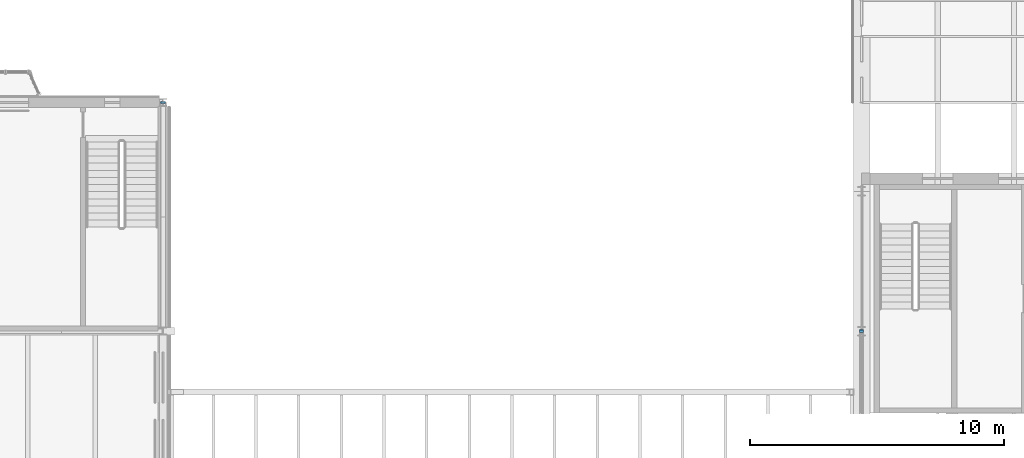
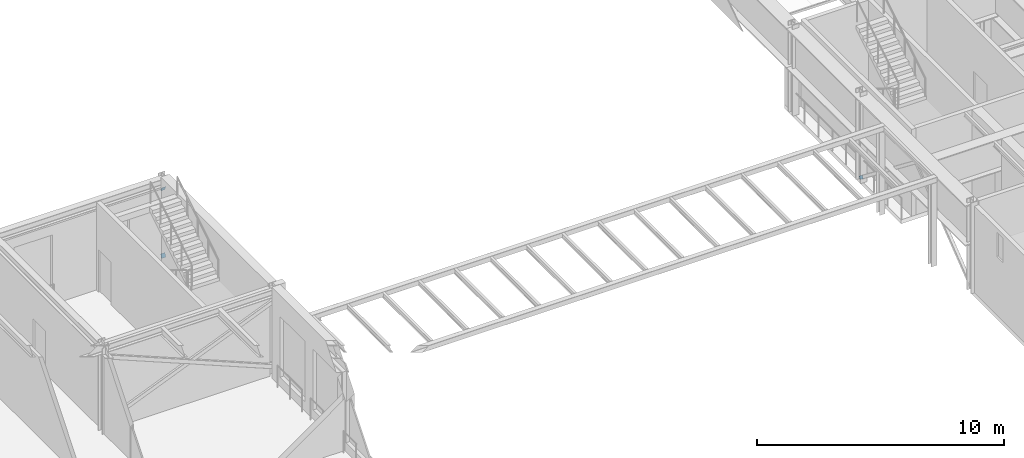
# One storey, part 119 of 153: 3 discrete accessories.
"""IFC4 building model written with IfcOpenShell, lengths in metres."""

from ifc_helpers import new_model, si_unit, direction, frame, origin, origin_2d, place, context, subcontext, project, spatial, rectangle, extrude, material, material_profile, profile_set, type_object, element, save


model = new_model("IFC4")

# Units and contexts
model_context = context("Model", 3, precision=1e-05, world=origin(), true_north=direction((0.0, 1.0)))
body_context = subcontext(model_context, "Body", "Model", "MODEL_VIEW")
ifc_project = project(units=[si_unit("LENGTHUNIT", "METRE"), si_unit("AREAUNIT", "SQUARE_METRE"), si_unit("VOLUMEUNIT", "CUBIC_METRE"), si_unit("PLANEANGLEUNIT", "RADIAN"), si_unit("MASSUNIT", "GRAM", prefix="KILO")], contexts=[model_context])

# Site, building, storey
site_placement = place(None, origin())
site = spatial("IfcSite", under=ifc_project, at=site_placement, CompositionType="ELEMENT")
building_placement = place(site_placement, origin())
building = spatial("IfcBuilding", under=site, at=building_placement, Name="Kallimachos Central Library", CompositionType="ELEMENT")
storey_placement = place(building_placement, frame((0.0, 0.0, 5.39990234375)))
storey = spatial("IfcBuildingStorey", under=building, at=storey_placement, Name="L01", CompositionType="ELEMENT", Elevation=5.39990234375)

# Discrete accessories
ifc_material_1 = material(Name="Steel S355J2", Category="steel")
ifc_material_profile_1 = material_profile(ifc_material_1, rectangle(XDim=0.14990234375, YDim=0.14990234375, at=origin_2d()), Name="End cap plate 10, 150x150")
ifc_profile_set_1 = profile_set([ifc_material_profile_1], Name="Steel S355J2")
discrete_accessory_type_1 = type_object("IfcDiscreteAccessoryType", Name="End cap plate 10, 150x150", PredefinedType="BRACKET", material=ifc_profile_set_1)
discrete_accessory_placement = place(storey_placement, frame((65.5, 105.0078125, 0.14404296875), z_axis=(0.0, -0.788024373725, 0.615644041972), x_axis=(1.0, 0.0, 0.0)))
element("IfcDiscreteAccessory", 1, at=discrete_accessory_placement, inside=storey, type_object=discrete_accessory_type_1, Name="End cap plate", PredefinedType="BRACKET", context=body_context, shape_type="SweptSolid", body=[
    extrude(rectangle(XDim=0.14990234375, YDim=0.14990234375, at=origin_2d()), origin(), (0.0, 0.0, 1.0), 0.010009765625),
])
ifc_material_2 = material(Name="Steel S355J2", Category="steel")
ifc_material_profile_2 = material_profile(ifc_material_2, rectangle(XDim=0.199951171875, YDim=0.199951171875, at=origin_2d()), Name="End cap plate 10, 200x200")
ifc_profile_set_2 = profile_set([ifc_material_profile_2], Name="Steel S355J2")
discrete_accessory_type_2 = type_object("IfcDiscreteAccessoryType", Name="End cap plate 10, 200x200", PredefinedType="BRACKET", material=ifc_profile_set_2)
for number, where, z_axis, x_axis, name in (
    (2, (38.0, 114.0, 3.75), (0.0, 0.930155221331, 0.367166534736), (-1.0, 0.0, 0.0), "End cap plate"),
    (3, (38.0, 114.0, 0.4501953125), (0.0, 0.930155221331, -0.367166534736), (-1.0, 0.0, 0.0), "End cap plate"),
):
    element("IfcDiscreteAccessory", number, at=place(storey_placement, frame(where, z_axis=z_axis, x_axis=x_axis)), inside=storey, type_object=discrete_accessory_type_2, Name=name, PredefinedType="BRACKET", context=body_context, shape_type="SweptSolid", body=[
        extrude(rectangle(XDim=0.199951171875, YDim=0.199951171875, at=origin_2d()), origin(), (0.0, 0.0, 1.0), 0.010009765625),
    ])

save(model, "model.ifc")
